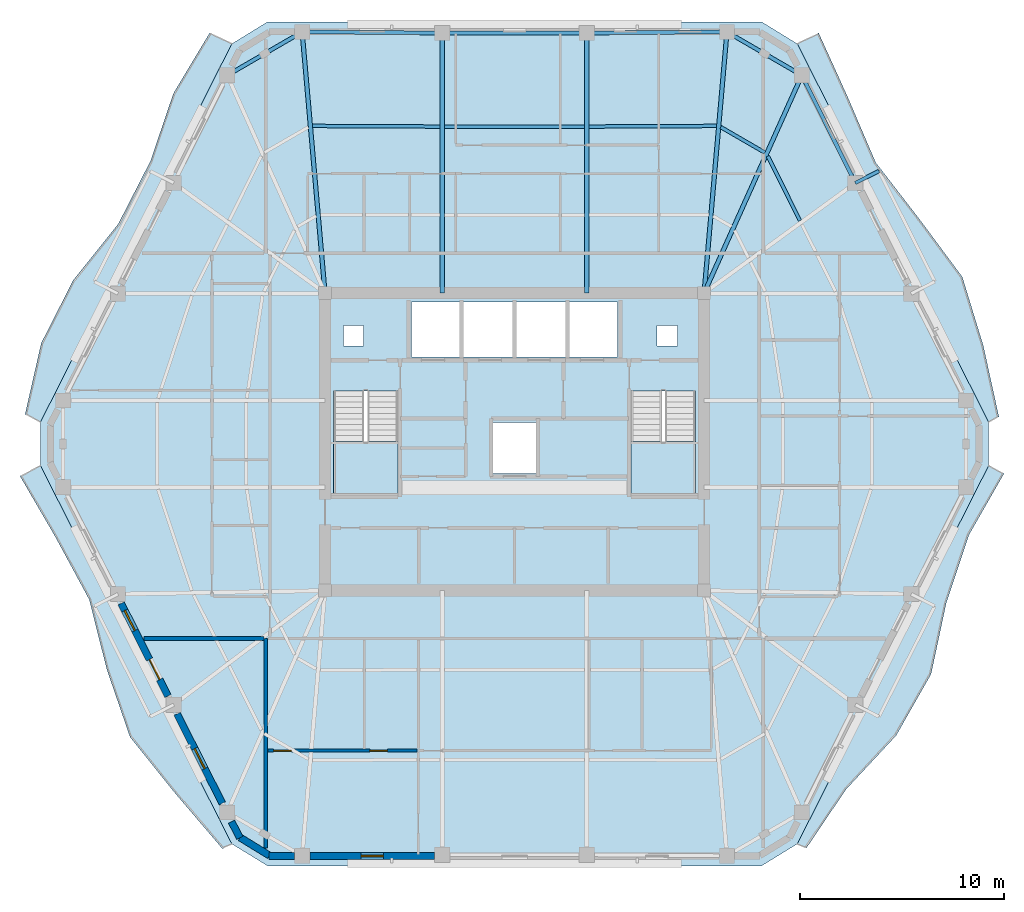
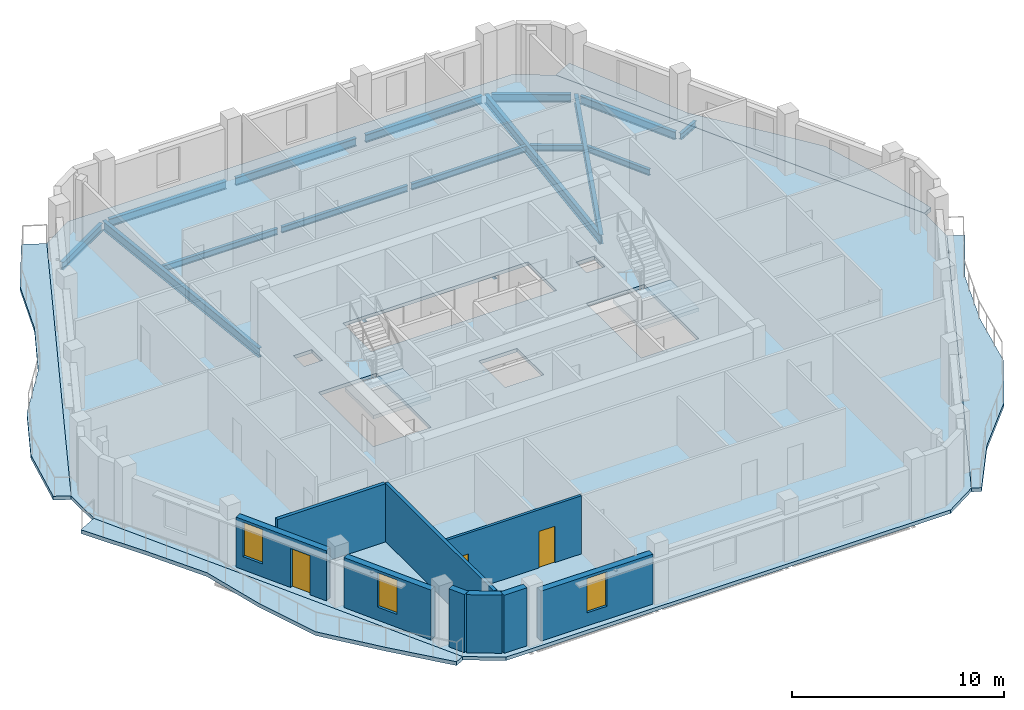
# One storey, part 3 of 12: 17 beams, 9 walls, 7 slabs, 3 doors, 3 windows, 6 openings, 2 elements without a shape of their own.
"""IFC4 building model written with IfcOpenShell, lengths in metres."""

import ifcopenshell
import ifcopenshell.guid

model = None  # the IFC model being written
_history = None  # IfcOwnerHistory: only IFC2X3 demands one
_inside = {}  # id of a spatial element -> (the spatial element, [elements in it])
_under = {}  # id of a project, library or spatial element -> (it, [spatial elements below it])
_declared = {}  # id of a project -> (the project, [libraries it declares])
_typed = {}  # id of a type object -> (the type object, [elements of that type])
_made_of = {}  # id of a material, layer set ... -> (it, [elements and type objects made of it])


def new_model(schema):
    """Start an empty IFC model of exactly this schema.

    Asked for "IFC4X3", IfcOpenShell would pick the latest addendum, in which some entities
    have other attributes; the version numbers below select the first issue.
    IFC2X3 requires an IfcOwnerHistory on every rooted entity: one is made here for all.
    """
    global model, _history
    if schema == "IFC4X3":
        model = ifcopenshell.file(schema_version=(4, 3, 0, 0))
    else:
        model = ifcopenshell.file(schema=schema)
    _inside.clear()
    _under.clear()
    _declared.clear()
    _typed.clear()
    _made_of.clear()
    _history = None
    if model.schema == "IFC2X3":
        org = make("IfcOrganization", Name="unknown")
        user = make(
            "IfcPersonAndOrganization",
            ThePerson=make("IfcPerson", FamilyName="unknown"),
            TheOrganization=org,
        )
        app = make(
            "IfcApplication",
            ApplicationDeveloper=org,
            Version="unknown",
            ApplicationFullName="unknown",
            ApplicationIdentifier="unknown",
        )
        _history = make(
            "IfcOwnerHistory",
            OwningUser=user,
            OwningApplication=app,
            ChangeAction="ADDED",
            CreationDate=0,
        )
    return model


def make(cls, **values):
    """One entity of the class cls with the attributes given. An attribute that is None is left unset."""
    return model.create_entity(
        cls, **{name: value for name, value in values.items() if value is not None}
    )


def rooted(cls, **values):
    """An entity with a GlobalId (a new one), such as an element, a storey or a relation."""
    return make(cls, GlobalId=ifcopenshell.guid.new(), OwnerHistory=_history, **values)


def si_unit(unit_type, name, prefix=None):
    """IfcSIUnit, for example si_unit("LENGTHUNIT", "METRE", prefix="MILLI")."""
    return make("IfcSIUnit", UnitType=unit_type, Prefix=prefix, Name=name)


def assignment(units):
    """IfcUnitAssignment: the units of a project."""
    return None if units is None else make("IfcUnitAssignment", Units=units)


def point(xyz):
    """IfcCartesianPoint."""
    return None if xyz is None else make("IfcCartesianPoint", Coordinates=xyz)


def direction(xyz):
    """IfcDirection."""
    return None if xyz is None else make("IfcDirection", DirectionRatios=xyz)


def frame(location, z_axis=None, x_axis=None):
    """IfcAxis2Placement3D, a coordinate frame: its origin and axes. An axis left out is left unset."""
    return make(
        "IfcAxis2Placement3D",
        Location=point(location),
        Axis=direction(z_axis),
        RefDirection=direction(x_axis),
    )


def frame_2d(location, x_axis=None):
    """IfcAxis2Placement2D, a coordinate frame in the plane: its origin and x axis."""
    return make(
        "IfcAxis2Placement2D", Location=point(location), RefDirection=direction(x_axis)
    )


def origin():
    """The frame at (0, 0, 0) with its axes left unset."""
    return frame((0.0, 0.0, 0.0))


def origin_2d():
    """The frame at (0, 0) in the plane with its x axis left unset."""
    return frame_2d((0.0, 0.0))


def place(relative_to, where):
    """IfcLocalPlacement: puts the frame where relative to a parent placement (None: the world)."""
    return make(
        "IfcLocalPlacement", PlacementRelTo=relative_to, RelativePlacement=where
    )


def context(
    kind, dimensions, precision=None, world=None, true_north=None, identifier=None
):
    """IfcGeometricRepresentationContext, for example the 3D "Model" context."""
    return make(
        "IfcGeometricRepresentationContext",
        ContextIdentifier=identifier,
        ContextType=kind,
        CoordinateSpaceDimension=dimensions,
        Precision=precision,
        WorldCoordinateSystem=world,
        TrueNorth=true_north,
    )


def subcontext(parent, identifier, kind, view, scale=None):
    """IfcGeometricRepresentationSubContext, for example "Body" below "Model"."""
    return make(
        "IfcGeometricRepresentationSubContext",
        ContextIdentifier=identifier,
        ContextType=kind,
        ParentContext=parent,
        TargetScale=scale,
        TargetView=view,
    )


def project(units=None, contexts=None):
    """IfcProject with its units and contexts."""
    return rooted(
        "IfcProject",
        Name="project",
        RepresentationContexts=contexts,
        UnitsInContext=assignment(units),
    )


def spatial(cls, under=None, at=None, **own):
    """A site, building, storey or space (cls), placed at a placement, below another one or the project."""
    s = rooted(cls, ObjectPlacement=at, **own)
    if under is not None:
        _under.setdefault(under.id(), (under, []))[1].append(s)
    return s


def polyline(points):
    """IfcPolyline through the points."""
    return make("IfcPolyline", Points=[point(p) for p in points])


def profile(cls, at=None, kind="AREA", **sizes):
    """A parametric profile (cls). Its sizes go by their IFC names, for example OverallWidth=200.0."""
    return make(cls, ProfileType=kind, Position=at, **sizes)


def rectangle(**sizes):
    """IfcRectangleProfileDef."""
    return profile("IfcRectangleProfileDef", **sizes)


def i_section(**sizes):
    """IfcIShapeProfileDef."""
    return profile("IfcIShapeProfileDef", **sizes)


def outline(outer, holes=None, kind="AREA"):
    """IfcArbitraryClosedProfileDef: a profile drawn as a closed curve; with holes, ...WithVoids."""
    if holes is None:
        return make("IfcArbitraryClosedProfileDef", ProfileType=kind, OuterCurve=outer)
    return make(
        "IfcArbitraryProfileDefWithVoids",
        ProfileType=kind,
        OuterCurve=outer,
        InnerCurves=holes,
    )


def extrude(swept, where, along, depth):
    """IfcExtrudedAreaSolid: the profile swept, set in the frame where, extruded along a direction by depth."""
    return make(
        "IfcExtrudedAreaSolid",
        SweptArea=swept,
        Position=where,
        ExtrudedDirection=direction(along),
        Depth=depth,
    )


def shape(context_of_items, identifier, shape_type, items):
    """IfcShapeRepresentation: the items that make up one representation, for example the "Body"."""
    return make(
        "IfcShapeRepresentation",
        ContextOfItems=context_of_items,
        RepresentationIdentifier=identifier,
        RepresentationType=shape_type,
        Items=items,
    )


def material(Name=None, Category=None):
    """IfcMaterial."""
    return make("IfcMaterial", Name=Name, Category=Category)


def layer(
    of_material, thickness, ventilated=None, Name=None, Category=None, Priority=None
):
    """IfcMaterialLayer: one layer of a wall or slab, of a material (None: an air gap)."""
    return make(
        "IfcMaterialLayer",
        Material=of_material,
        LayerThickness=thickness,
        IsVentilated=ventilated,
        Name=Name,
        Category=Category,
        Priority=Priority,
    )


def layer_set(layers, Name=None):
    """IfcMaterialLayerSet."""
    return make("IfcMaterialLayerSet", MaterialLayers=layers, LayerSetName=Name)


def material_profile(
    of_material, cross_section, Name=None, Category=None, Priority=None
):
    """IfcMaterialProfile: a cross section and its material."""
    return make(
        "IfcMaterialProfile",
        Name=Name,
        Material=of_material,
        Profile=cross_section,
        Priority=Priority,
        Category=Category,
    )


def profile_set(profiles, Name=None, composite=None):
    """IfcMaterialProfileSet."""
    return make(
        "IfcMaterialProfileSet",
        Name=Name,
        MaterialProfiles=profiles,
        CompositeProfile=composite,
    )


def made_of(thing, what):
    """Note that an element or type object is made of a material, layer set ...; save() writes the relation."""
    if what is not None:
        _made_of.setdefault(what.id(), (what, []))[1].append(thing)
    return thing


def type_object(cls, material=None, **own):
    """A type object (cls), such as IfcWallType, which elements share."""
    return made_of(rooted(cls, **own), material)


def element(
    cls,
    number,
    at=None,
    inside=None,
    cuts=None,
    type_object=None,
    material=None,
    context=None,
    identifier="Body",
    shape_type=None,
    held_by="IfcProductDefinitionShape",
    body=None,
    shapes=None,
    **own,
):
    """One element of the class cls, such as IfcWall. Its Tag is "e" and its number.

    at: its placement. inside: the storey or other place that contains it. cuts: it is an
    opening in that element (IfcRelVoidsElement). A single representation is given by context,
    identifier, shape_type and body (its items); several are given by shapes. held_by: the class
    of the entity that holds the representations. save() writes the other relations.
    """
    e = rooted(cls, Tag="e%d" % number, ObjectPlacement=at, **own)
    if body is not None:
        shapes = [shape(context, identifier, shape_type, body)]
    if shapes is not None:
        e.Representation = make(held_by, Representations=shapes)
    if inside is not None:
        _inside.setdefault(inside.id(), (inside, []))[1].append(e)
    if cuts is not None:
        rooted(
            "IfcRelVoidsElement", RelatingBuildingElement=cuts, RelatedOpeningElement=e
        )
    if type_object is not None:
        _typed.setdefault(type_object.id(), (type_object, []))[1].append(e)
    return made_of(e, material)


def fill(opening, filler):
    """IfcRelFillsElement: the door or window that sits in an opening."""
    return rooted(
        "IfcRelFillsElement",
        RelatingOpeningElement=opening,
        RelatedBuildingElement=filler,
    )


def aggregate(whole, parts):
    """IfcRelAggregates: a whole, such as a stair, and the parts it consists of."""
    return rooted("IfcRelAggregates", RelatingObject=whole, RelatedObjects=parts)


def save(model, path):
    """Write the relations noted so far, then the file.

    IfcRelAggregates (storeys below a building ...), IfcRelContainedInSpatialStructure (elements
    in a storey), IfcRelDefinesByType, IfcRelAssociatesMaterial and IfcRelDeclares: one each for
    every whole, place, type object, material and project.
    """
    for whole, parts in _under.values():
        aggregate(whole, parts)
    for where, things in _inside.values():
        rooted(
            "IfcRelContainedInSpatialStructure",
            RelatedElements=things,
            RelatingStructure=where,
        )
    for kind, things in _typed.values():
        rooted("IfcRelDefinesByType", RelatedObjects=things, RelatingType=kind)
    for what, things in _made_of.values():
        rooted("IfcRelAssociatesMaterial", RelatedObjects=things, RelatingMaterial=what)
    for by, libraries in _declared.values():
        rooted("IfcRelDeclares", RelatingContext=by, RelatedDefinitions=libraries)
    model.write(path)


model = new_model("IFC4")

# Units and contexts
model_context = context("Model", 3, precision=1e-05, world=origin(), true_north=direction((0.0, 1.0)))
body_context = subcontext(model_context, "Body", "Model", "MODEL_VIEW")
ifc_project = project(units=[si_unit("LENGTHUNIT", "METRE"), si_unit("AREAUNIT", "SQUARE_METRE"), si_unit("VOLUMEUNIT", "CUBIC_METRE"), si_unit("PLANEANGLEUNIT", "RADIAN"), si_unit("MASSUNIT", "GRAM", prefix="KILO")], contexts=[model_context])

# Site, building, storey
site_placement = place(None, origin())
site = spatial("IfcSite", under=ifc_project, at=site_placement, CompositionType="ELEMENT")
building_placement = place(site_placement, origin())
building = spatial("IfcBuilding", under=site, at=building_placement, Name="Cinnabar Lancet Tower", CompositionType="ELEMENT")
storey_placement = place(building_placement, frame((0.0, 0.0, 210.949951171875)))
storey = spatial("IfcBuildingStorey", under=building, at=storey_placement, Name="L56", CompositionType="ELEMENT", Elevation=210.949951171875)

# Beams
ifc_material_1 = material(Name="Structural steel S355", Category="steel")
ifc_material_profile_1 = material_profile(ifc_material_1, i_section(OverallWidth=0.17138671875, OverallDepth=0.35498046875, WebThickness=0.00732421875, FlangeThickness=0.011474609375, FilletRadius=0.01025390625, at=origin_2d()), Name="UKB 356x171x51")
ifc_profile_set_1 = profile_set([ifc_material_profile_1], Name="Structural steel S355")
beam_type_1 = type_object("IfcBeamType", Name="STR-BM-JST-356", PredefinedType="JOIST", material=ifc_profile_set_1)
beam_1_placement = place(storey_placement, frame((46.40087890625, 36.75, -0.3779296875), z_axis=(-0.444780091128, 0.895639810714, 0.0), x_axis=(-0.895639810714, -0.444780091128, 0.0)))
element("IfcBeam", 1, at=beam_1_placement, inside=storey, type_object=beam_type_1, Name="L56 Secondary Floor Joist 29", PredefinedType="JOIST", context=body_context, shape_type="SweptSolid", body=[
    extrude(i_section(OverallWidth=0.17138671875, OverallDepth=0.35498046875, WebThickness=0.00732421875, FlangeThickness=0.011474609375, FilletRadius=0.01025390625, at=origin_2d()), origin(), (0.0, 0.0, 1.0), 3.533935546875),
])
beam_2_placement = place(storey_placement, frame((44.677978515625, 40.089111328125, -0.3779296875), z_axis=(-0.865267839663, 0.501309849937, 0.0), x_axis=(-0.501309849937, -0.865267839663, 0.0)))
element("IfcBeam", 2, at=beam_2_placement, inside=storey, type_object=beam_type_1, Name="L56 Secondary Floor Joist 31", PredefinedType="JOIST", context=body_context, shape_type="SweptSolid", body=[
    extrude(i_section(OverallWidth=0.17138671875, OverallDepth=0.35498046875, WebThickness=0.00732421875, FlangeThickness=0.011474609375, FilletRadius=0.01025390625, at=origin_2d()), origin(), (0.0, 0.0, 1.0), 2.497314453125),
])
beam_3_placement = place(storey_placement, frame((42.31201171875, 41.39794921875, -0.3779296875), z_axis=(-0.999986965561, -0.005105752523, 0.0), x_axis=(0.005105752523, -0.999986965561, 0.0)))
element("IfcBeam", 3, at=beam_3_placement, inside=storey, type_object=beam_type_1, Name="L56 Secondary Floor Joist 33", PredefinedType="JOIST", context=body_context, shape_type="SweptSolid", body=[
    extrude(i_section(OverallWidth=0.17138671875, OverallDepth=0.35498046875, WebThickness=0.00732421875, FlangeThickness=0.011474609375, FilletRadius=0.01025390625, at=origin_2d()), origin(), (0.0, 0.0, 1.0), 6.263916015625),
])
beam_4_placement = place(storey_placement, frame((35.837890625, 41.364990234375, -0.3779296875), z_axis=(-1.0, 0.0, 0.0), x_axis=(0.0, -1.0, 0.0)))
element("IfcBeam", 4, at=beam_4_placement, inside=storey, type_object=beam_type_1, Name="L56 Secondary Floor Joist 35", PredefinedType="JOIST", context=body_context, shape_type="SweptSolid", body=[
    extrude(i_section(OverallWidth=0.17138671875, OverallDepth=0.35498046875, WebThickness=0.00732421875, FlangeThickness=0.011474609375, FilletRadius=0.01025390625, at=origin_2d()), origin(), (0.0, 0.0, 1.0), 6.8759765625),
])
beam_5_placement = place(storey_placement, frame((28.751953125, 41.365966796875, -0.3779296875), z_axis=(-0.999986965561, 0.005105752523, 0.0), x_axis=(-0.005105752523, -0.999986965561, 0.0)))
element("IfcBeam", 5, at=beam_5_placement, inside=storey, type_object=beam_type_1, Name="L56 Secondary Floor Joist 37", PredefinedType="JOIST", context=body_context, shape_type="SweptSolid", body=[
    extrude(i_section(OverallWidth=0.17138671875, OverallDepth=0.35498046875, WebThickness=0.00732421875, FlangeThickness=0.011474609375, FilletRadius=0.01025390625, at=origin_2d()), origin(), (0.0, 0.0, 1.0), 6.263916015625),
])
ifc_material_2 = material(Name="Structural steel S355", Category="steel")
ifc_material_profile_2 = material_profile(ifc_material_2, i_section(OverallWidth=0.1904296875, OverallDepth=0.45703125, WebThickness=0.009033203125, FlangeThickness=0.014404296875, FilletRadius=0.01025390625, at=origin_2d()), Name="UKB 457x191x74")
ifc_profile_set_2 = profile_set([ifc_material_profile_2], Name="Structural steel S355")
beam_type_2 = type_object("IfcBeamType", Name="STR-BM-SPN-457", PredefinedType="SPANDREL", material=ifc_profile_set_2)
beam_6_placement = place(storey_placement, frame((49.008056640625, 38.822998046875, -0.427978515625), z_axis=(-0.444932986899, 0.895563865489, 0.0), x_axis=(-0.895563865489, -0.444932986899, 0.0)))
element("IfcBeam", 6, at=beam_6_placement, inside=storey, type_object=beam_type_2, Name="L56 Perimeter Spandrel 11", PredefinedType="SPANDREL", context=body_context, shape_type="SweptSolid", body=[
    extrude(i_section(OverallWidth=0.1904296875, OverallDepth=0.45703125, WebThickness=0.009033203125, FlangeThickness=0.014404296875, FilletRadius=0.01025390625, at=origin_2d()), origin(), (0.0, 0.0, 1.0), 5.398681640625),
])
beam_7_placement = place(storey_placement, frame((46.279052734375, 44.007080078125, -0.427978515625), z_axis=(-0.865195717586, 0.501434313016, 0.0), x_axis=(-0.501434313016, -0.865195717586, 0.0)))
element("IfcBeam", 7, at=beam_7_placement, inside=storey, type_object=beam_type_2, Name="L56 Perimeter Spandrel 12", PredefinedType="SPANDREL", context=body_context, shape_type="SweptSolid", body=[
    extrude(i_section(OverallWidth=0.1904296875, OverallDepth=0.45703125, WebThickness=0.009033203125, FlangeThickness=0.014404296875, FilletRadius=0.01025390625, at=origin_2d()), origin(), (0.0, 0.0, 1.0), 3.7470703125),
])
beam_8_placement = place(storey_placement, frame((42.571044921875, 46.009033203125, -0.427978515625), z_axis=(-0.999970401924, -0.007693846685, 0.0), x_axis=(0.007693846685, -0.999970401924, 0.0)))
element("IfcBeam", 8, at=beam_8_placement, inside=storey, type_object=beam_type_2, Name="L56 Perimeter Spandrel 13", PredefinedType="SPANDREL", context=body_context, shape_type="SweptSolid", body=[
    extrude(i_section(OverallWidth=0.1904296875, OverallDepth=0.45703125, WebThickness=0.009033203125, FlangeThickness=0.014404296875, FilletRadius=0.01025390625, at=origin_2d()), origin(), (0.0, 0.0, 1.0), 6.378173828125),
])
beam_9_placement = place(storey_placement, frame((35.693115234375, 45.9580078125, -0.427978515625), z_axis=(-1.0, 0.0, 0.0), x_axis=(0.0, -1.0, 0.0)))
element("IfcBeam", 9, at=beam_9_placement, inside=storey, type_object=beam_type_2, Name="L56 Perimeter Spandrel 14", PredefinedType="SPANDREL", context=body_context, shape_type="SweptSolid", body=[
    extrude(i_section(OverallWidth=0.1904296875, OverallDepth=0.45703125, WebThickness=0.009033203125, FlangeThickness=0.014404296875, FilletRadius=0.01025390625, at=origin_2d()), origin(), (0.0, 0.0, 1.0), 6.586181640625),
])
beam_10_placement = place(storey_placement, frame((28.60693359375, 45.9599609375, -0.427978515625), z_axis=(-0.999970401924, 0.007693846685, 0.0), x_axis=(-0.007693846685, -0.999970401924, 0.0)))
element("IfcBeam", 10, at=beam_10_placement, inside=storey, type_object=beam_type_2, Name="L56 Perimeter Spandrel 15", PredefinedType="SPANDREL", context=body_context, shape_type="SweptSolid", body=[
    extrude(i_section(OverallWidth=0.1904296875, OverallDepth=0.45703125, WebThickness=0.009033203125, FlangeThickness=0.014404296875, FilletRadius=0.01025390625, at=origin_2d()), origin(), (0.0, 0.0, 1.0), 6.378173828125),
])
beam_11_placement = place(storey_placement, frame((21.762939453125, 45.885986328125, -0.427978515625), z_axis=(-0.865195717586, -0.501434313016, 0.0), x_axis=(0.501434313016, -0.865195717586, 0.0)))
element("IfcBeam", 11, at=beam_11_placement, inside=storey, type_object=beam_type_2, Name="L56 Perimeter Spandrel 16", PredefinedType="SPANDREL", context=body_context, shape_type="SweptSolid", body=[
    extrude(i_section(OverallWidth=0.1904296875, OverallDepth=0.45703125, WebThickness=0.009033203125, FlangeThickness=0.014404296875, FilletRadius=0.01025390625, at=origin_2d()), origin(), (0.0, 0.0, 1.0), 3.7470703125),
])
ifc_material_3 = material(Name="Structural steel S355", Category="steel")
ifc_material_profile_3 = material_profile(ifc_material_3, i_section(OverallWidth=0.209228515625, OverallDepth=0.533203125, WebThickness=0.010009765625, FlangeThickness=0.015625, FilletRadius=0.0126953125, at=origin_2d()), Name="UKB 533x210x92")
ifc_profile_set_3 = profile_set([ifc_material_profile_3], Name="Structural steel S355")
beam_type_3 = type_object("IfcBeamType", Name="STR-BM-UKB533-92", PredefinedType="BEAM", material=ifc_profile_set_3)
beam_12_placement = place(storey_placement, frame((46.4951171875, 43.882080078125, -0.467041015625), z_axis=(-0.409527011626, -0.912297992297, 0.0), x_axis=(0.912297992297, -0.409527011626, 0.0)))
element("IfcBeam", 12, at=beam_12_placement, inside=storey, type_object=beam_type_3, Name="L56 Primary Floor Girder 12", PredefinedType="BEAM", context=body_context, shape_type="SweptSolid", body=[
    extrude(i_section(OverallWidth=0.209228515625, OverallDepth=0.533203125, WebThickness=0.010009765625, FlangeThickness=0.015625, FilletRadius=0.0126953125, at=origin_2d()), origin(), (0.0, 0.0, 1.0), 11.708984375),
])
beam_13_placement = place(storey_placement, frame((42.821044921875, 46.010986328125, -0.467041015625), z_axis=(-0.087176841412, -0.996192851973, 0.0), x_axis=(0.996192851973, -0.087176841412, 0.0)))
element("IfcBeam", 13, at=beam_13_placement, inside=storey, type_object=beam_type_3, Name="L56 Primary Floor Girder 13", PredefinedType="BEAM", context=body_context, shape_type="SweptSolid", body=[
    extrude(i_section(OverallWidth=0.209228515625, OverallDepth=0.533203125, WebThickness=0.010009765625, FlangeThickness=0.015625, FilletRadius=0.0126953125, at=origin_2d()), origin(), (0.0, 0.0, 1.0), 12.860107421875),
])
for number, where, z_axis, x_axis, name in (
    (14, (35.943115234375, 45.9580078125, -0.467041015625), (0.0, -1.0, 0.0), (1.0, 0.0, 0.0), "L56 Primary Floor Girder 14"),
    (15, (28.85693359375, 45.9580078125, -0.467041015625), (0.0, -1.0, 0.0), (1.0, 0.0, 0.0), "L56 Primary Floor Girder 15"),
):
    element("IfcBeam", number, at=place(storey_placement, frame(where, z_axis=z_axis, x_axis=x_axis)), inside=storey, type_object=beam_type_3, Name=name, PredefinedType="BEAM", context=body_context, shape_type="SweptSolid", body=[
        extrude(i_section(OverallWidth=0.209228515625, OverallDepth=0.533203125, WebThickness=0.010009765625, FlangeThickness=0.015625, FilletRadius=0.0126953125, at=origin_2d()), origin(), (0.0, 0.0, 1.0), 12.758056640625),
    ])
beam_14_placement = place(storey_placement, frame((21.97900390625, 46.010986328125, -0.467041015625), z_axis=(0.087176841412, -0.996192851973, 0.0), x_axis=(0.996192851973, 0.087176841412, 0.0)))
element("IfcBeam", 16, at=beam_14_placement, inside=storey, type_object=beam_type_3, Name="L56 Primary Floor Girder 16", PredefinedType="BEAM", context=body_context, shape_type="SweptSolid", body=[
    extrude(i_section(OverallWidth=0.209228515625, OverallDepth=0.533203125, WebThickness=0.010009765625, FlangeThickness=0.015625, FilletRadius=0.0126953125, at=origin_2d()), origin(), (0.0, 0.0, 1.0), 12.860107421875),
])
ifc_material_4 = material(Name="Structural steel S355", Category="steel")
ifc_material_profile_4 = material_profile(ifc_material_4, i_section(OverallWidth=0.17138671875, OverallDepth=0.35498046875, WebThickness=0.00732421875, FlangeThickness=0.011474609375, FilletRadius=0.01025390625, at=origin_2d()), Name="UKB 356x171x51")
ifc_profile_set_4 = profile_set([ifc_material_profile_4], Name="Structural steel S355")
beam_type_4 = type_object("IfcBeamType", Name="STR-BM-WAV-OUT", PredefinedType="BEAM", material=ifc_profile_set_4)
beam_15_placement = place(storey_placement, frame((49.118896484375, 38.59912109375, -0.39794921875), z_axis=(0.892314203325, 0.451414845285, 0.0), x_axis=(-0.451414845285, 0.892314203325, 0.0)))
element("IfcBeam", 17, at=beam_15_placement, inside=storey, type_object=beam_type_4, Name="L56 Face 3 Balcony Outlooker B", PredefinedType="BEAM", context=body_context, shape_type="SweptSolid", body=[
    extrude(i_section(OverallWidth=0.17138671875, OverallDepth=0.35498046875, WebThickness=0.00732421875, FlangeThickness=0.011474609375, FilletRadius=0.01025390625, at=origin_2d()), origin(), (0.0, 0.0, 1.0), 1.300048828125),
])

# Stair, slab
ifc_material_5 = material(Name="Concrete C40/50", Category="concrete")
stair_type = type_object("IfcStairType", Name="ST-CORE", PredefinedType="HALF_TURN_STAIR", material=ifc_material_5)
stair_1_placement = place(storey_placement, origin())
stair_1 = element("IfcStair", 18, at=stair_1_placement, inside=storey, type_object=stair_type, Name="L56 ST-1", PredefinedType="HALF_TURN_STAIR")
ifc_material_6 = material(Name="Concrete C40/50", Category="concrete")
ifc_layer_1 = layer(ifc_material_6, 0.199951171875)
ifc_layer_set_1 = layer_set([ifc_layer_1], Name="Concrete C40/50")
slab_type_1 = type_object("IfcSlabType", Name="LANDING-CORE", PredefinedType="LANDING", material=ifc_layer_set_1)
slab_1_placement = place(storey_placement, frame((0.0, 0.0, 1.574951171875)))
slab_1 = element("IfcSlab", 19, at=slab_1_placement, type_object=slab_type_1, Name="ST-1 landing 1", PredefinedType="LANDING", context=body_context, shape_type="SweptSolid", body=[
    extrude(outline(polyline([(23.52490234375, 25.925048828125), (23.52490234375, 23.25), (26.675048828125, 23.25), (26.675048828125, 25.925048828125), (23.52490234375, 25.925048828125)])), origin(), (0.0, 0.0, 1.0), 0.2001953125),
])
aggregate(stair_1, [slab_1])

stair_2_placement = place(storey_placement, origin())
stair_2 = element("IfcStair", 20, at=stair_2_placement, inside=storey, type_object=stair_type, Name="L56 ST-2", PredefinedType="HALF_TURN_STAIR")
slab_2_placement = place(storey_placement, frame((0.0, 0.0, 1.574951171875)))
slab_2 = element("IfcSlab", 21, at=slab_2_placement, type_object=slab_type_1, Name="ST-2 landing 1", PredefinedType="LANDING", context=body_context, shape_type="SweptSolid", body=[
    extrude(outline(polyline([(38.125, 25.925048828125), (38.125, 23.25), (41.27490234375, 23.25), (41.27490234375, 25.925048828125), (38.125, 25.925048828125)])), origin(), (0.0, 0.0, 1.0), 0.2001953125),
])
aggregate(stair_2, [slab_2])

# Slabs
ifc_material_7 = material(Name="Concrete C40/50", Category="concrete")
ifc_layer_2 = layer(ifc_material_7, 0.199951171875)
ifc_layer_set_2 = layer_set([ifc_layer_2], Name="Concrete C40/50")
slab_type_2 = type_object("IfcSlabType", Name="STR-SLB-FLR-200", PredefinedType="FLOOR", material=ifc_layer_set_2)
slab_3_placement = place(storey_placement, frame((0.0, 0.0, -0.199951171875)))
element("IfcSlab", 22, at=slab_3_placement, inside=storey, type_object=slab_type_2, Name="L56 Structural Floor Slab", PredefinedType="FLOOR", context=body_context, shape_type="SweptSolid", body=[
    extrude(outline(polyline([(18.530029296875, 6.1708984375), (20.27197265625, 5.10009765625), (44.528076171875, 5.10009765625), (46.27001953125, 6.1708984375), (55.657958984375, 24.72900390625), (55.657958984375, 26.87109375), (46.27001953125, 45.428955078125), (44.528076171875, 46.5), (20.27197265625, 46.5), (18.530029296875, 45.428955078125), (9.14208984375, 26.87109375), (9.14208984375, 24.72900390625), (18.530029296875, 6.1708984375)]), holes=[polyline([(23.52490234375, 23.25), (26.675048828125, 23.25), (26.675048828125, 28.3994140625), (23.52490234375, 28.3994140625), (23.52490234375, 23.25)]), polyline([(38.125, 23.25), (41.27490234375, 23.25), (41.27490234375, 28.3994140625), (38.125, 28.3994140625), (38.125, 23.25)]), polyline([(27.35009765625, 30.050048828125), (37.449951171875, 30.050048828125), (37.449951171875, 32.75), (27.35009765625, 32.75), (27.35009765625, 30.050048828125)]), polyline([(31.35009765625, 24.35009765625), (33.449951171875, 24.35009765625), (33.449951171875, 26.85009765625), (31.35009765625, 26.85009765625), (31.35009765625, 24.35009765625)]), polyline([(24.0, 30.60009765625), (25.0, 30.60009765625), (25.0, 31.60009765625), (24.0, 31.60009765625), (24.0, 30.60009765625)]), polyline([(39.39990234375, 30.60009765625), (40.39990234375, 30.60009765625), (40.39990234375, 31.60009765625), (39.39990234375, 31.60009765625), (39.39990234375, 30.60009765625)])]), origin(), (0.0, 0.0, 1.0), 0.199951171875),
])
ifc_material_8 = material(Name="Concrete C45/55", Category="concrete")
ifc_layer_3 = layer(ifc_material_8, 0.219970703125)
ifc_layer_set_3 = layer_set([ifc_layer_3], Name="Concrete C45/55")
slab_type_3 = type_object("IfcSlabType", Name="STR-SLB-WAV-220", PredefinedType="FLOOR", material=ifc_layer_set_3)
slab_4_placement = place(storey_placement, frame((0.0, 0.0, -0.219970703125)))
element("IfcSlab", 23, at=slab_4_placement, inside=storey, type_object=slab_type_3, Name="L56 Face 2 Undulating Wave Balcony Slab", PredefinedType="FLOOR", context=body_context, shape_type="SweptSolid", body=[
    extrude(outline(polyline([(46.27001953125, 6.1708984375), (46.7041015625, 5.951904296875), (48.660888671875, 8.845947265625), (51.118896484375, 11.487060546875), (52.833984375, 14.50390625), (53.583984375, 18.009033203125), (54.69091796875, 21.3330078125), (56.4130859375, 24.346923828125), (55.657958984375, 24.72900390625), (46.27001953125, 6.1708984375)])), origin(), (0.0, 0.0, 1.0), 0.219970703125),
])
slab_5_placement = place(storey_placement, frame((0.0, 0.0, -0.219970703125)))
element("IfcSlab", 24, at=slab_5_placement, inside=storey, type_object=slab_type_3, Name="L56 Face 3 Undulating Wave Balcony Slab", PredefinedType="FLOOR", context=body_context, shape_type="SweptSolid", body=[
    extrude(outline(polyline([(55.657958984375, 26.87109375), (56.162109375, 27.1259765625), (55.39599609375, 30.623046875), (54.367919921875, 33.988037109375), (52.27294921875, 36.81201171875), (50.114990234375, 39.60498046875), (48.7509765625, 42.800048828125), (47.318115234375, 45.958984375), (46.27001953125, 45.428955078125), (55.657958984375, 26.87109375)])), origin(), (0.0, 0.0, 1.0), 0.219970703125),
])
slab_6_placement = place(storey_placement, frame((0.0, 0.0, -0.219970703125)))
element("IfcSlab", 25, at=slab_6_placement, inside=storey, type_object=slab_type_3, Name="L56 Face 5 Undulating Wave Balcony Slab", PredefinedType="FLOOR", context=body_context, shape_type="SweptSolid", body=[
    extrude(outline(polyline([(18.530029296875, 45.428955078125), (17.452880859375, 45.97412109375), (15.6630859375, 42.9951171875), (14.5390625, 39.678955078125), (12.9599609375, 36.593017578125), (10.7470703125, 33.827880859375), (9.177001953125, 30.738037109375), (8.385986328125, 27.2529296875), (9.14208984375, 26.87109375), (18.530029296875, 45.428955078125)])), origin(), (0.0, 0.0, 1.0), 0.219970703125),
])
slab_7_placement = place(storey_placement, frame((0.0, 0.0, -0.219970703125)))
element("IfcSlab", 26, at=slab_7_placement, inside=storey, type_object=slab_type_3, Name="L56 Face 6 Undulating Wave Balcony Slab", PredefinedType="FLOOR", context=body_context, shape_type="SweptSolid", body=[
    extrude(outline(polyline([(9.14208984375, 24.72900390625), (8.135986328125, 24.219970703125), (9.881103515625, 21.218017578125), (11.530029296875, 18.16796875), (12.39892578125, 14.722900390625), (13.535888671875, 11.4140625), (15.75390625, 8.65087890625), (18.06689453125, 5.93701171875), (18.530029296875, 6.1708984375), (9.14208984375, 24.72900390625)])), origin(), (0.0, 0.0, 1.0), 0.219970703125),
])

# Walls
ifc_material_9 = material(Name="Fire-rated twin-frame acoustic drywall", Category="gypsum")
ifc_layer_4 = layer(ifc_material_9, 0.179931640625)
ifc_layer_set_4 = layer_set([ifc_layer_4], Name="Fire-rated twin-frame acoustic drywall")
wall_type_1 = type_object("IfcWallType", Name="ARC-WL-PARTY-180", PredefinedType="PARTITIONING", material=ifc_layer_set_4)
wall_1_placement = place(storey_placement, frame((20.199951171875, 5.968017578125, 0.0), z_axis=(0.0, 0.0, 1.0), x_axis=(0.0, 1.0, 0.0)))
element("IfcWall", 27, at=wall_1_placement, inside=storey, type_object=wall_type_1, Name="PW-L56-SPTY-202", PredefinedType="PARTITIONING", context=body_context, shape_type="SweptSolid", body=[
    extrude(rectangle(XDim=10.281982421875, YDim=0.179931640625, at=frame_2d((5.14111328125, 0.0))), origin(), (0.0, 0.0, 1.0), 3.35009765625),
])
wall_2_placement = place(storey_placement, frame((14.2109375, 16.25, 0.0), z_axis=(0.0, 0.0, 1.0), x_axis=(1.0, 0.0, 0.0)))
element("IfcWall", 28, at=wall_2_placement, inside=storey, type_object=wall_type_1, Name="PW-L56-WSB", PredefinedType="PARTITIONING", context=body_context, shape_type="SweptSolid", body=[
    extrude(rectangle(XDim=5.89404296875, YDim=0.179931640625, at=frame_2d((2.947021484375, 0.0))), origin(), (0.0, 0.0, 1.0), 3.35009765625),
])

# Wall, openings, doors
ifc_material_10 = material(Name="Moisture-resistant cement-board plumbing wall", Category="masonry")
ifc_layer_5 = layer(ifc_material_10, 0.139892578125)
ifc_layer_set_5 = layer_set([ifc_layer_5], Name="Moisture-resistant cement-board plumbing wall")
wall_type_2 = type_object("IfcWallType", Name="ARC-WL-WET-140", PredefinedType="PLUMBINGWALL", material=ifc_layer_set_5)
wall_3_placement = place(storey_placement, frame((20.294921875, 10.751953125, 0.0), z_axis=(0.0, 0.0, 1.0), x_axis=(1.0, 0.0, 0.0)))
wall_3 = element("IfcWall", 29, at=wall_3_placement, inside=storey, type_object=wall_type_2, Name="UW-L56-S01-SPM", PredefinedType="PLUMBINGWALL", context=body_context, shape_type="SweptSolid", body=[
    extrude(rectangle(XDim=7.316162109375, YDim=0.139892578125, at=frame_2d((3.658203125, 0.0))), origin(), (0.0, 0.0, 1.0), 3.35009765625),
])
opening_1_placement = place(wall_3_placement, frame((0.280029296875, 0.0, 0.0)))
opening_1 = element("IfcOpeningElement", 30, at=opening_1_placement, cuts=wall_3, Name="Opening RD-02", PredefinedType="OPENING", context=body_context, shape_type="SweptSolid", body=[
    extrude(rectangle(XDim=0.8798828125, YDim=2.14990234375, at=frame_2d((0.43994140625, 1.074951171875))), frame((0.0, 0.079833984375, 0.0), z_axis=(0.0, -1.0, 0.0), x_axis=(1.0, 0.0, 0.0)), (0.0, 0.0, 1.0), 0.159912109375),
])
opening_2_placement = place(wall_3_placement, frame((5.010986328125, 0.0, 0.0)))
opening_2 = element("IfcOpeningElement", 31, at=opening_2_placement, cuts=wall_3, Name="Opening BD-01", PredefinedType="OPENING", context=body_context, shape_type="SweptSolid", body=[
    extrude(rectangle(XDim=0.860107421875, YDim=2.10009765625, at=frame_2d((0.43017578125, 1.050048828125))), frame((0.0, 0.079833984375, 0.0), z_axis=(0.0, -1.0, 0.0), x_axis=(1.0, 0.0, 0.0)), (0.0, 0.0, 1.0), 0.159912109375),
])
ifc_material_11 = material(Name="Moisture-resistant timber bathroom door", Category="wood")
door_type_1 = type_object("IfcDoorType", Name="ARC-DR-BATH", OperationType="NOTDEFINED", PredefinedType="DOOR", material=ifc_material_11)
door_1_placement = place(opening_2_placement, origin())
door_1 = element("IfcDoor", 32, at=door_1_placement, inside=storey, type_object=door_type_1, Name="DR-L56-S01-ENS", OperationType="SINGLE_SWING_LEFT", OverallHeight=2.10009765625, OverallWidth=0.860107421875, PredefinedType="DOOR", context=body_context, shape_type="SweptSolid", body=[
    extrude(rectangle(XDim=0.860107421875, YDim=2.10009765625, at=frame_2d((0.43017578125, 1.050048828125))), frame((0.0, 0.02490234375, 0.0), z_axis=(0.0, -1.0, 0.0), x_axis=(1.0, 0.0, 0.0)), (0.0, 0.0, 1.0), 0.050048828125),
])
fill(opening_2, door_1)
ifc_material_12 = material(Name="Engineered timber study door", Category="wood")
door_type_2 = type_object("IfcDoorType", Name="ARC-DR-STUDY", OperationType="NOTDEFINED", PredefinedType="DOOR", material=ifc_material_12)
door_2_placement = place(opening_1_placement, origin())
door_2 = element("IfcDoor", 33, at=door_2_placement, inside=storey, type_object=door_type_2, Name="DR-L56-S01-ENS-WDR", OperationType="SINGLE_SWING_RIGHT", OverallHeight=2.14990234375, OverallWidth=0.8798828125, PredefinedType="DOOR", context=body_context, shape_type="SweptSolid", body=[
    extrude(rectangle(XDim=0.8798828125, YDim=2.14990234375, at=frame_2d((0.43994140625, 1.074951171875))), frame((0.0, 0.02490234375, 0.0), z_axis=(0.0, -1.0, 0.0), x_axis=(1.0, 0.0, 0.0)), (0.0, 0.0, 1.0), 0.050048828125),
])
fill(opening_1, door_2)

# Walls
ifc_material_13 = material(Name="Cinnabar red clay brick", Category="masonry")
ifc_layer_6 = layer(ifc_material_13, 0.340087890625)
ifc_layer_set_6 = layer_set([ifc_layer_6], Name="Cinnabar red clay brick")
wall_type_3 = type_object("IfcWallType", Name="ENV-WL-BRK-RED-340", PredefinedType="STANDARD", material=ifc_layer_set_6)
wall_4_placement = place(storey_placement, frame((18.93798828125, 6.48388671875, 0.0), z_axis=(0.0, 0.0, 1.0), x_axis=(0.851778214877, -0.523902541185, 0.0)))
element("IfcWall", 34, at=wall_4_placement, inside=storey, type_object=wall_type_3, Name="L56 Chamfered Corner Brick Pier 1.1", PredefinedType="STANDARD", context=body_context, shape_type="SweptSolid", body=[
    extrude(rectangle(XDim=1.677734375, YDim=0.340087890625, at=frame_2d((0.8388671875, 0.0))), origin(), (0.0, 0.0, 1.0), 3.35009765625),
])
wall_5_placement = place(storey_placement, frame((20.362060546875, 5.580078125, 0.0), z_axis=(0.0, 0.0, 1.0), x_axis=(1.0, 0.0, 0.0)))
element("IfcWall", 35, at=wall_5_placement, inside=storey, type_object=wall_type_3, Name="L56 Face 1 Masonry Bay Wall 1", PredefinedType="STANDARD", context=body_context, shape_type="SweptSolid", body=[
    extrude(rectangle(XDim=1.238037109375, YDim=0.340087890625, at=frame_2d((0.619140625, 0.0))), origin(), (0.0, 0.0, 1.0), 3.35009765625),
])

# Wall, opening, window
wall_6_placement = place(storey_placement, frame((22.35791015625, 5.580078125, 0.0), z_axis=(0.0, 0.0, 1.0), x_axis=(1.0, 0.0, 0.0)))
wall_6 = element("IfcWall", 36, at=wall_6_placement, inside=storey, type_object=wall_type_3, Name="L56 Face 1 Masonry Bay Wall 2", PredefinedType="STANDARD", context=body_context, shape_type="SweptSolid", body=[
    extrude(rectangle(XDim=6.1201171875, YDim=0.340087890625, at=frame_2d((3.06005859375, 0.0))), origin(), (0.0, 0.0, 1.0), 2.883056640625),
])
opening_3_placement = place(wall_6_placement, frame((2.510009765625, 0.0, 0.75)))
opening_3 = element("IfcOpeningElement", 37, at=opening_3_placement, cuts=wall_6, Name="Opening WN-04", PredefinedType="OPENING", context=body_context, shape_type="SweptSolid", body=[
    extrude(rectangle(XDim=1.10009765625, YDim=1.98291015625, at=frame_2d((0.550048828125, 0.991455078125))), frame((0.0, 0.179931640625, 0.0), z_axis=(0.0, -1.0, 0.0), x_axis=(1.0, 0.0, 0.0)), (0.0, 0.0, 1.0), 0.360107421875),
])
ifc_material_14 = material(Name="Thermally broken bronze-anodized aluminium tall lancet window", Category="aluminium")
window_type = type_object("IfcWindowType", Name="ENV-WN-LANCET-1100", PartitioningType="SINGLE_PANEL", PredefinedType="WINDOW", material=ifc_material_14)
window_1_placement = place(opening_3_placement, origin())
window_1 = element("IfcWindow", 38, at=window_1_placement, inside=storey, type_object=window_type, Name="L56 Face 1 Gothic Lancet Window 2", OverallHeight=1.98291015625, OverallWidth=1.10009765625, PartitioningType="SINGLE_PANEL", PredefinedType="WINDOW", context=body_context, shape_type="SweptSolid", body=[
    extrude(rectangle(XDim=1.10009765625, YDim=1.98291015625, at=frame_2d((0.550048828125, 0.991455078125))), frame((0.0, 0.030029296875, 0.0), z_axis=(0.0, -1.0, 0.0), x_axis=(1.0, 0.0, 0.0)), (0.0, 0.0, 1.0), 0.06005859375),
])
fill(opening_3, window_1)

# Wall, openings, door, window
wall_7_placement = place(storey_placement, frame((13.096923828125, 17.972900390625, 0.0), z_axis=(0.0, 0.0, 1.0), x_axis=(0.451463920536, -0.892289374841, 0.0)))
wall_7 = element("IfcWall", 39, at=wall_7_placement, inside=storey, type_object=wall_type_3, Name="L56 Face 6 Masonry Bay Wall 3", PredefinedType="STANDARD", context=body_context, shape_type="SweptSolid", body=[
    extrude(rectangle(XDim=5.0947265625, YDim=0.340087890625, at=frame_2d((2.54736328125, 0.0))), origin(), (0.0, 0.0, 1.0), 2.883056640625),
])
opening_4_placement = place(wall_7_placement, frame((3.087890625, 0.0, 0.0)))
opening_4 = element("IfcOpeningElement", 40, at=opening_4_placement, cuts=wall_7, Name="Opening TD-01", PredefinedType="OPENING", context=body_context, shape_type="SweptSolid", body=[
    extrude(rectangle(XDim=1.10009765625, YDim=2.25, at=frame_2d((0.550048828125, 1.125))), frame((0.0, 0.179931640625, 0.0), z_axis=(0.0, -1.0, 0.0), x_axis=(1.0, 0.0, 0.0)), (0.0, 0.0, 1.0), 0.360107421875),
])
opening_5_placement = place(wall_7_placement, frame((0.39501953125, 0.0, 0.75)))
opening_5 = element("IfcOpeningElement", 41, at=opening_5_placement, cuts=wall_7, Name="Opening WN-04", PredefinedType="OPENING", context=body_context, shape_type="SweptSolid", body=[
    extrude(rectangle(XDim=1.10009765625, YDim=1.98291015625, at=frame_2d((0.550048828125, 0.991455078125))), frame((0.0, 0.179931640625, 0.0), z_axis=(0.0, -1.0, 0.0), x_axis=(1.0, 0.0, 0.0)), (0.0, 0.0, 1.0), 0.360107421875),
])
ifc_material_15 = material(Name="Thermally broken low-E glazed balcony terrace door", Category="wood")
door_type_3 = type_object("IfcDoorType", Name="ARC-DR-BALC", OperationType="NOTDEFINED", PredefinedType="DOOR", material=ifc_material_15)
door_3_placement = place(opening_4_placement, origin())
door_3 = element("IfcDoor", 42, at=door_3_placement, inside=storey, type_object=door_type_3, Name="L56 Face 6 Glazed Terrace Door", OperationType="SINGLE_SWING_RIGHT", OverallHeight=2.25, OverallWidth=1.10009765625, PredefinedType="DOOR", context=body_context, shape_type="SweptSolid", body=[
    extrude(rectangle(XDim=1.10009765625, YDim=2.25, at=frame_2d((0.550048828125, 1.125))), frame((0.0, 0.02490234375, 0.0), z_axis=(0.0, -1.0, 0.0), x_axis=(1.0, 0.0, 0.0)), (0.0, 0.0, 1.0), 0.050048828125),
])
fill(opening_4, door_3)
window_2_placement = place(opening_5_placement, origin())
window_2 = element("IfcWindow", 43, at=window_2_placement, inside=storey, type_object=window_type, Name="L56 Split-Bay Gothic Lancet Window 196", OverallHeight=1.98291015625, OverallWidth=1.10009765625, PartitioningType="SINGLE_PANEL", PredefinedType="WINDOW", context=body_context, shape_type="SweptSolid", body=[
    extrude(rectangle(XDim=1.10009765625, YDim=1.98291015625, at=frame_2d((0.550048828125, 0.991455078125))), frame((0.0, 0.030029296875, 0.0), z_axis=(0.0, -1.0, 0.0), x_axis=(1.0, 0.0, 0.0)), (0.0, 0.0, 1.0), 0.06005859375),
])
fill(opening_5, window_2)

# Wall, opening, window
wall_8_placement = place(storey_placement, frame((15.843017578125, 12.544921875, 0.0), z_axis=(0.0, 0.0, 1.0), x_axis=(0.451544279509, -0.892248711763, 0.0)))
wall_8 = element("IfcWall", 44, at=wall_8_placement, inside=storey, type_object=wall_type_3, Name="L56 Face 6 Masonry Bay Wall 4", PredefinedType="STANDARD", context=body_context, shape_type="SweptSolid", body=[
    extrude(rectangle(XDim=4.909912109375, YDim=0.340087890625, at=frame_2d((2.455078125, 0.0))), origin(), (0.0, 0.0, 1.0), 2.883056640625),
])
opening_6_placement = place(wall_8_placement, frame((1.905029296875, 0.0, 0.75)))
opening_6 = element("IfcOpeningElement", 45, at=opening_6_placement, cuts=wall_8, Name="Opening WN-04", PredefinedType="OPENING", context=body_context, shape_type="SweptSolid", body=[
    extrude(rectangle(XDim=1.10009765625, YDim=1.98291015625, at=frame_2d((0.550048828125, 0.991455078125))), frame((0.0, 0.179931640625, 0.0), z_axis=(0.0, -1.0, 0.0), x_axis=(1.0, 0.0, 0.0)), (0.0, 0.0, 1.0), 0.360107421875),
])
window_3_placement = place(opening_6_placement, origin())
window_3 = element("IfcWindow", 46, at=window_3_placement, inside=storey, type_object=window_type, Name="L56 Face 6 Gothic Lancet Window 4", OverallHeight=1.98291015625, OverallWidth=1.10009765625, PartitioningType="SINGLE_PANEL", PredefinedType="WINDOW", context=body_context, shape_type="SweptSolid", body=[
    extrude(rectangle(XDim=1.10009765625, YDim=1.98291015625, at=frame_2d((0.550048828125, 0.991455078125))), frame((0.0, 0.030029296875, 0.0), z_axis=(0.0, -1.0, 0.0), x_axis=(1.0, 0.0, 0.0)), (0.0, 0.0, 1.0), 0.06005859375),
])
fill(opening_6, window_3)

# Wall
wall_9_placement = place(storey_placement, frame((18.51611328125, 7.261962890625, 0.0), z_axis=(0.0, 0.0, 1.0), x_axis=(0.451597983141, -0.892221531697, 0.0)))
element("IfcWall", 47, at=wall_9_placement, inside=storey, type_object=wall_type_3, Name="L56 Face 6 Masonry Bay Wall 5", PredefinedType="STANDARD", context=body_context, shape_type="SweptSolid", body=[
    extrude(rectangle(XDim=0.889892578125, YDim=0.340087890625, at=frame_2d((0.44482421875, 0.0))), origin(), (0.0, 0.0, 1.0), 3.35009765625),
])

save(model, "model.ifc")
